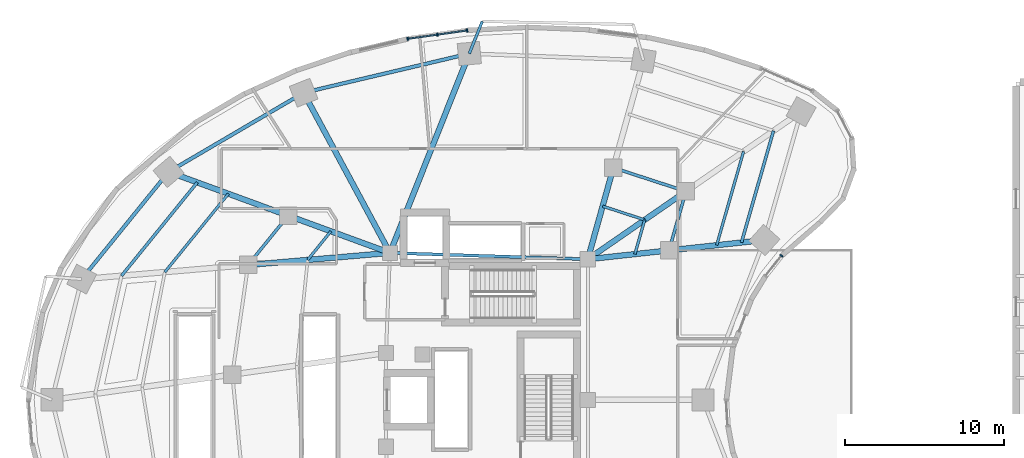
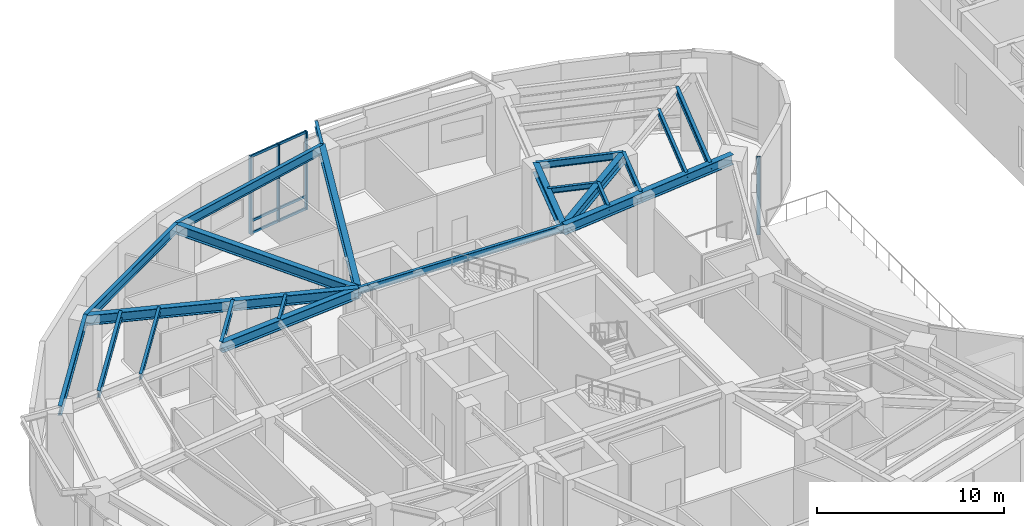
# One storey, part 6 of 19: 24 beams, 10 members, 2 elements without a shape of their own.
"""IFC4 building model written with IfcOpenShell, lengths in metres."""

from ifc_helpers import new_model, si_unit, direction, frame, origin, origin_2d, place, context, subcontext, project, spatial, rectangle, i_section, extrude, material, layer, layer_set, material_profile, profile_set, type_object, element, aggregate, save


model = new_model("IFC4")

# Units and contexts
model_context = context("Model", 3, precision=1e-05, world=origin(), true_north=direction((0.0, 1.0)))
body_context = subcontext(model_context, "Body", "Model", "MODEL_VIEW")
ifc_project = project(units=[si_unit("LENGTHUNIT", "METRE"), si_unit("AREAUNIT", "SQUARE_METRE"), si_unit("VOLUMEUNIT", "CUBIC_METRE"), si_unit("PLANEANGLEUNIT", "RADIAN"), si_unit("MASSUNIT", "GRAM", prefix="KILO")], contexts=[model_context])

# Site, building, storey
site_placement = place(None, origin())
site = spatial("IfcSite", under=ifc_project, at=site_placement, CompositionType="ELEMENT")
building_placement = place(site_placement, origin())
building = spatial("IfcBuilding", under=site, at=building_placement, Name="Korentha Bioscience Tower", CompositionType="ELEMENT")
storey_placement = place(building_placement, frame((0.0, 0.0, 20.39990234375)))
storey = spatial("IfcBuildingStorey", under=building, at=storey_placement, Name="L04", CompositionType="ELEMENT", Elevation=20.39990234375)

# Beams
ifc_material_1 = material(Name="Steel S355", Category="steel")
ifc_material_profile_1 = material_profile(ifc_material_1, i_section(OverallWidth=0.18994140625, OverallDepth=0.45703125, WebThickness=0.009033203125, FlangeThickness=0.014404296875, at=origin_2d()), Name="Steel S355")
ifc_profile_set_1 = profile_set([ifc_material_profile_1], Name="Steel S355 (MB-460)")
beam_type_1 = type_object("IfcBeamType", Name="Mid-Ring Tie Girder W460x74", PredefinedType="BEAM", material=ifc_profile_set_1)
beam_1_placement = place(storey_placement, frame((43.7265625, 40.121337890625, 4.87158203125), z_axis=(-0.950877001105, 0.309568940253, 0.0), x_axis=(-0.309568940253, -0.950877001105, 0.0)))
element("IfcBeam", 1, at=beam_1_placement, inside=storey, type_object=beam_type_1, Name="L04 Mid-Ring Tie Girder 01", PredefinedType="BEAM", context=body_context, shape_type="SweptSolid", body=[
    extrude(i_section(OverallWidth=0.18994140625, OverallDepth=0.45703125, WebThickness=0.009033203125, FlangeThickness=0.014404296875, at=origin_2d()), origin(), (0.0, 0.0, 1.0), 4.80126953125),
])
beam_2_placement = place(storey_placement, frame((18.692138671875, 38.5947265625, 4.87158203125), z_axis=(-0.629790009744, -0.776765436684, 0.0), x_axis=(0.776765436684, -0.629790009744, 0.0)))
element("IfcBeam", 2, at=beam_2_placement, inside=storey, type_object=beam_type_1, Name="L04 Mid-Ring Tie Girder 05", PredefinedType="BEAM", context=body_context, shape_type="SweptSolid", body=[
    extrude(i_section(OverallWidth=0.18994140625, OverallDepth=0.45703125, WebThickness=0.009033203125, FlangeThickness=0.014404296875, at=origin_2d()), origin(), (0.0, 0.0, 1.0), 3.998291015625),
])
beam_3_placement = place(storey_placement, frame((42.66162109375, 36.406982421875, 4.87158203125), z_axis=(0.27560557792, 0.961270807535, 0.0), x_axis=(-0.961270807535, 0.27560557792, 0.0)))
element("IfcBeam", 3, at=beam_3_placement, inside=storey, type_object=beam_type_1, Name="L04 Mid-Ring Tie Girder 16", PredefinedType="BEAM", context=body_context, shape_type="SweptSolid", body=[
    extrude(i_section(OverallWidth=0.18994140625, OverallDepth=0.45703125, WebThickness=0.009033203125, FlangeThickness=0.014404296875, at=origin_2d()), origin(), (0.0, 0.0, 1.0), 3.864013671875),
])
beam_4_placement = place(storey_placement, frame((37.550048828125, 35.85009765625, 4.87158203125), z_axis=(-0.999484526071, 0.032104238723, 0.0), x_axis=(-0.032104238723, -0.999484526071, 0.0)))
element("IfcBeam", 4, at=beam_4_placement, inside=storey, type_object=beam_type_1, Name="L04 Core Ring Tie Girder 01", PredefinedType="BEAM", context=body_context, shape_type="SweptSolid", body=[
    extrude(i_section(OverallWidth=0.18994140625, OverallDepth=0.45703125, WebThickness=0.009033203125, FlangeThickness=0.014404296875, at=origin_2d()), origin(), (0.0, 0.0, 1.0), 12.456298828125),
])

# Curtain wall, members
ifc_material_2 = material(Name="Stone-Clad Aluminium Frame", Category="masonry")
ifc_layer = layer(ifc_material_2, 0.219970703125, Name="Stone-Clad Aluminium Frame")
ifc_layer_set = layer_set([ifc_layer], Name="Stone-Clad Aluminium Frame (CW-P1)")
curtain_wall_type = type_object("IfcCurtainWallType", Name="Podium Double-Height Stone-Mullion Curtain Wall CW-P1", PredefinedType="USERDEFINED", material=ifc_layer_set)
curtain_wall_1_placement = place(storey_placement, origin())
curtain_wall_1 = element("IfcCurtainWall", 5, at=curtain_wall_1_placement, inside=storey, type_object=curtain_wall_type, Name="L04 Curtain Wall 07", ObjectType="UNITISED", PredefinedType="USERDEFINED")
ifc_material_3 = material(Name="Anodised Aluminium 6063-T6", Category="aluminium")
ifc_material_profile_2 = material_profile(ifc_material_3, rectangle(XDim=0.090087890625, YDim=0.199951171875, at=origin_2d()), Name="Anodised Aluminium 6063-T6")
ifc_profile_set_2 = profile_set([ifc_material_profile_2], Name="Anodised Aluminium 6063-T6 (CW-MUL)")
member_type_1 = type_object("IfcMemberType", Name="Mullion RECT 90x200", PredefinedType="MULLION", material=ifc_profile_set_2)
member_1_placement = place(storey_placement, frame((29.95849609375, 50.247802734375, 0.0), z_axis=(0.0, 0.0, 1.0), x_axis=(-0.990167372968, -0.139887717511, 0.0)))
member_1 = element("IfcMember", 6, at=member_1_placement, type_object=member_type_1, Name="CW-L04-07 Mullion 1", PredefinedType="MULLION", context=body_context, shape_type="SweptSolid", body=[
    extrude(rectangle(XDim=0.090087890625, YDim=0.199951171875, at=origin_2d()), origin(), (0.0, 0.0, 1.0), 5.10009765625),
])
member_2_placement = place(storey_placement, frame((28.086669921875, 49.9833984375, 0.0), z_axis=(0.0, 0.0, 1.0), x_axis=(-0.990167372968, -0.139887717511, 0.0)))
member_2 = element("IfcMember", 7, at=member_2_placement, type_object=member_type_1, Name="CW-L04-07 Mullion 2", PredefinedType="MULLION", context=body_context, shape_type="SweptSolid", body=[
    extrude(rectangle(XDim=0.090087890625, YDim=0.199951171875, at=origin_2d()), origin(), (0.0, 0.0, 1.0), 5.10009765625),
])
member_3_placement = place(storey_placement, frame((26.214599609375, 49.718994140625, 0.0), z_axis=(0.0, 0.0, 1.0), x_axis=(-0.990167372968, -0.139887717511, 0.0)))
member_3 = element("IfcMember", 8, at=member_3_placement, type_object=member_type_1, Name="CW-L04-07 Mullion 3", PredefinedType="MULLION", context=body_context, shape_type="SweptSolid", body=[
    extrude(rectangle(XDim=0.090087890625, YDim=0.199951171875, at=origin_2d()), origin(), (0.0, 0.0, 1.0), 5.10009765625),
])

# Curtain wall, member
curtain_wall_2_placement = place(storey_placement, origin())
curtain_wall_2 = element("IfcCurtainWall", 9, at=curtain_wall_2_placement, inside=storey, type_object=curtain_wall_type, Name="L04 Curtain Wall 55", ObjectType="UNITISED", PredefinedType="USERDEFINED")
member_4_placement = place(storey_placement, frame((49.73291015625, 36.072021484375, 0.0), z_axis=(0.0, 0.0, 1.0), x_axis=(0.622520324648, 0.782603632371, 0.0)))
member_4 = element("IfcMember", 10, at=member_4_placement, type_object=member_type_1, Name="CW-L04-55 Mullion 2", PredefinedType="MULLION", context=body_context, shape_type="SweptSolid", body=[
    extrude(rectangle(XDim=0.090087890625, YDim=0.199951171875, at=origin_2d()), origin(), (0.0, 0.0, 1.0), 5.10009765625),
])
aggregate(curtain_wall_2, [member_4])

# Beams
ifc_material_profile_3 = material_profile(ifc_material_1, i_section(OverallWidth=0.22802734375, OverallDepth=0.60791015625, WebThickness=0.01123046875, FlangeThickness=0.017333984375, at=origin_2d()), Name="Steel S355")
ifc_profile_set_3 = profile_set([ifc_material_profile_3], Name="Steel S355 (SB-610)")
beam_type_2 = type_object("IfcBeamType", Name="Perimeter Ring Spandrel Girder W610x113", PredefinedType="SPANDREL", material=ifc_profile_set_3)
beam_5_placement = place(storey_placement, frame((30.09423828125, 48.79248046875, 4.796142578125), z_axis=(-0.973207885376, -0.229926970672, 0.0), x_axis=(0.229926970672, -0.973207885376, 0.0)))
element("IfcBeam", 11, at=beam_5_placement, inside=storey, type_object=beam_type_2, Name="L04 Perimeter Spandrel Girder 03", PredefinedType="SPANDREL", context=body_context, shape_type="SweptSolid", body=[
    extrude(i_section(OverallWidth=0.22802734375, OverallDepth=0.60791015625, WebThickness=0.01123046875, FlangeThickness=0.017333984375, at=origin_2d()), origin(), (0.0, 0.0, 1.0), 10.71484375),
])
beam_6_placement = place(storey_placement, frame((19.66650390625, 46.328857421875, 4.796142578125), z_axis=(-0.862656574181, -0.505790109653, 0.0), x_axis=(0.505790109653, -0.862656574181, 0.0)))
element("IfcBeam", 12, at=beam_6_placement, inside=storey, type_object=beam_type_2, Name="L04 Perimeter Spandrel Girder 04", PredefinedType="SPANDREL", context=body_context, shape_type="SweptSolid", body=[
    extrude(i_section(OverallWidth=0.22802734375, OverallDepth=0.60791015625, WebThickness=0.01123046875, FlangeThickness=0.017333984375, at=origin_2d()), origin(), (0.0, 0.0, 1.0), 9.849365234375),
])
beam_7_placement = place(storey_placement, frame((11.169921875, 41.34716796875, 4.796142578125), z_axis=(-0.629799210231, -0.776757976974, 0.0), x_axis=(0.776757976974, -0.629799210231, 0.0)))
element("IfcBeam", 13, at=beam_7_placement, inside=storey, type_object=beam_type_2, Name="L04 Perimeter Spandrel Girder 05", PredefinedType="SPANDREL", context=body_context, shape_type="SweptSolid", body=[
    extrude(i_section(OverallWidth=0.22802734375, OverallDepth=0.60791015625, WebThickness=0.01123046875, FlangeThickness=0.017333984375, at=origin_2d()), origin(), (0.0, 0.0, 1.0), 8.69189453125),
])
ifc_material_profile_4 = material_profile(ifc_material_1, i_section(OverallWidth=0.18994140625, OverallDepth=0.45703125, WebThickness=0.009033203125, FlangeThickness=0.014404296875, at=origin_2d()), Name="Steel S355")
ifc_profile_set_4 = profile_set([ifc_material_profile_4], Name="Steel S355 (RB-460)")
beam_type_3 = type_object("IfcBeamType", Name="Radial Laboratory Beam W460x74", PredefinedType="BEAM", material=ifc_profile_set_4)
beam_8_placement = place(storey_placement, frame((12.97509765625, 40.6865234375, 4.87158203125), z_axis=(-0.629797748553, -0.776759162107, 0.0), x_axis=(0.776759162107, -0.629797748553, 0.0)))
element("IfcBeam", 14, at=beam_8_placement, inside=storey, type_object=beam_type_3, Name="L04 Secondary Floor Beam JSTO-05", PredefinedType="BEAM", context=body_context, shape_type="SweptSolid", body=[
    extrude(i_section(OverallWidth=0.18994140625, OverallDepth=0.45703125, WebThickness=0.009033203125, FlangeThickness=0.014404296875, at=origin_2d()), origin(), (0.0, 0.0, 1.0), 7.5654296875),
])
beam_9_placement = place(storey_placement, frame((47.2216796875, 36.90380859375, 4.87158203125), z_axis=(0.275682421415, 0.961248772443, 0.0), x_axis=(-0.961248772443, 0.275682421415, 0.0)))
element("IfcBeam", 15, at=beam_9_placement, inside=storey, type_object=beam_type_3, Name="L04 Secondary Floor Beam JSTO-16", PredefinedType="BEAM", context=body_context, shape_type="SweptSolid", body=[
    extrude(i_section(OverallWidth=0.18994140625, OverallDepth=0.45703125, WebThickness=0.009033203125, FlangeThickness=0.014404296875, at=origin_2d()), origin(), (0.0, 0.0, 1.0), 7.3115234375),
])
ifc_material_profile_5 = material_profile(ifc_material_1, i_section(OverallWidth=0.35009765625, OverallDepth=0.64990234375, WebThickness=0.01611328125, FlangeThickness=0.02490234375, at=origin_2d()), Name="Steel S355")
ifc_profile_set_5 = profile_set([ifc_material_profile_5], Name="Steel S355 (RB-650)")
beam_type_4 = type_object("IfcBeamType", Name="Radial Laboratory Girder CVS 650x208", PredefinedType="BEAM", material=ifc_profile_set_5)
beam_10_placement = place(storey_placement, frame((37.550048828125, 35.85009765625, 4.775146484375), z_axis=(0.822491697625, 0.568777115694, 0.0), x_axis=(-0.568777115694, 0.822491697625, 0.0)))
element("IfcBeam", 16, at=beam_10_placement, inside=storey, type_object=beam_type_4, Name="L04 Inner Radial Girder 01", PredefinedType="BEAM", context=body_context, shape_type="SweptSolid", body=[
    extrude(i_section(OverallWidth=0.35009765625, OverallDepth=0.64990234375, WebThickness=0.01611328125, FlangeThickness=0.02490234375, at=origin_2d()), origin(), (0.0, 0.0, 1.0), 7.509521484375),
])
beam_11_placement = place(storey_placement, frame((37.550048828125, 35.85009765625, 4.775146484375), z_axis=(0.269469369205, 0.963008961049, 0.0), x_axis=(-0.963008961049, 0.269469369205, 0.0)))
element("IfcBeam", 17, at=beam_11_placement, inside=storey, type_object=beam_type_4, Name="L04 Inner Radial Girder 02", PredefinedType="BEAM", context=body_context, shape_type="SweptSolid", body=[
    extrude(i_section(OverallWidth=0.35009765625, OverallDepth=0.64990234375, WebThickness=0.01611328125, FlangeThickness=0.02490234375, at=origin_2d()), origin(), (0.0, 0.0, 1.0), 5.978759765625),
])
beam_12_placement = place(storey_placement, frame((25.10009765625, 36.25, 4.775146484375), z_axis=(0.369931007413, 0.929059228335, 0.0), x_axis=(-0.929059228335, 0.369931007413, 0.0)))
element("IfcBeam", 18, at=beam_12_placement, inside=storey, type_object=beam_type_4, Name="L04 Radial Girder 03", PredefinedType="BEAM", context=body_context, shape_type="SweptSolid", body=[
    extrude(i_section(OverallWidth=0.35009765625, OverallDepth=0.64990234375, WebThickness=0.01611328125, FlangeThickness=0.02490234375, at=origin_2d()), origin(), (0.0, 0.0, 1.0), 13.500244140625),
])
beam_13_placement = place(storey_placement, frame((25.10009765625, 36.25, 4.775146484375), z_axis=(-0.47454097106, 0.880233416081, 0.0), x_axis=(-0.880233416081, -0.47454097106, 0.0)))
element("IfcBeam", 19, at=beam_13_placement, inside=storey, type_object=beam_type_4, Name="L04 Radial Girder 04", PredefinedType="BEAM", context=body_context, shape_type="SweptSolid", body=[
    extrude(i_section(OverallWidth=0.35009765625, OverallDepth=0.64990234375, WebThickness=0.01611328125, FlangeThickness=0.02490234375, at=origin_2d()), origin(), (0.0, 0.0, 1.0), 11.4501953125),
])
beam_14_placement = place(storey_placement, frame((25.10009765625, 36.25, 4.775146484375), z_axis=(-0.939106237741, 0.343626940498, 0.0), x_axis=(-0.343626940498, -0.939106237741, 0.0)))
element("IfcBeam", 20, at=beam_14_placement, inside=storey, type_object=beam_type_4, Name="L04 Inner Radial Girder 05", PredefinedType="BEAM", context=body_context, shape_type="SweptSolid", body=[
    extrude(i_section(OverallWidth=0.35009765625, OverallDepth=0.64990234375, WebThickness=0.01611328125, FlangeThickness=0.02490234375, at=origin_2d()), origin(), (0.0, 0.0, 1.0), 6.823486328125),
])
beam_15_placement = place(storey_placement, frame((18.692138671875, 38.5947265625, 4.775146484375), z_axis=(-0.939106299948, 0.343626770491, 0.0), x_axis=(-0.343626770491, -0.939106299948, 0.0)))
element("IfcBeam", 21, at=beam_15_placement, inside=storey, type_object=beam_type_4, Name="L04 Outer Radial Girder 05", PredefinedType="BEAM", context=body_context, shape_type="SweptSolid", body=[
    extrude(i_section(OverallWidth=0.35009765625, OverallDepth=0.64990234375, WebThickness=0.01611328125, FlangeThickness=0.02490234375, at=origin_2d()), origin(), (0.0, 0.0, 1.0), 8.010009765625),
])
beam_16_placement = place(storey_placement, frame((25.10009765625, 36.25, 4.775146484375), z_axis=(-0.996385503026, -0.08494662654, 0.0), x_axis=(0.08494662654, -0.996385503026, 0.0)))
element("IfcBeam", 22, at=beam_16_placement, inside=storey, type_object=beam_type_4, Name="L04 Inner Radial Girder 06", PredefinedType="BEAM", context=body_context, shape_type="SweptSolid", body=[
    extrude(i_section(OverallWidth=0.35009765625, OverallDepth=0.64990234375, WebThickness=0.01611328125, FlangeThickness=0.02490234375, at=origin_2d()), origin(), (0.0, 0.0, 1.0), 8.95849609375),
])
beam_17_placement = place(storey_placement, frame((37.550048828125, 35.85009765625, 4.775146484375), z_axis=(0.994117709144, 0.10830503389, 0.0), x_axis=(-0.10830503389, 0.994117709144, 0.0)))
element("IfcBeam", 23, at=beam_17_placement, inside=storey, type_object=beam_type_4, Name="L04 Inner Radial Girder 16", PredefinedType="BEAM", context=body_context, shape_type="SweptSolid", body=[
    extrude(i_section(OverallWidth=0.35009765625, OverallDepth=0.64990234375, WebThickness=0.01611328125, FlangeThickness=0.02490234375, at=origin_2d()), origin(), (0.0, 0.0, 1.0), 5.141845703125),
])
beam_18_placement = place(storey_placement, frame((42.66162109375, 36.406982421875, 4.775146484375), z_axis=(0.994115805925, 0.108322501862, 0.0), x_axis=(-0.108322501862, 0.994115805925, 0.0)))
element("IfcBeam", 24, at=beam_18_placement, inside=storey, type_object=beam_type_4, Name="L04 Outer Radial Girder 16", PredefinedType="BEAM", context=body_context, shape_type="SweptSolid", body=[
    extrude(i_section(OverallWidth=0.35009765625, OverallDepth=0.64990234375, WebThickness=0.01611328125, FlangeThickness=0.02490234375, at=origin_2d()), origin(), (0.0, 0.0, 1.0), 6.03564453125),
])
ifc_material_profile_6 = material_profile(ifc_material_1, i_section(OverallWidth=0.1708984375, OverallDepth=0.35498046875, WebThickness=0.007080078125, FlangeThickness=0.01171875, at=origin_2d()), Name="Steel S355")
ifc_profile_set_6 = profile_set([ifc_material_profile_6], Name="Steel S355 (JB-360)")
beam_type_5 = type_object("IfcBeamType", Name="Secondary Laboratory Joist W360x51", PredefinedType="JOIST", material=ifc_profile_set_6)
beam_19_placement = place(storey_placement, frame((41.13232421875, 38.327392578125, 4.922607421875), z_axis=(-0.950869630746, 0.309591578254, 0.0), x_axis=(-0.309591578254, -0.950869630746, 0.0)))
element("IfcBeam", 25, at=beam_19_placement, inside=storey, type_object=beam_type_5, Name="L04 Inner Bay Joist 01", PredefinedType="JOIST", context=body_context, shape_type="SweptSolid", body=[
    extrude(i_section(OverallWidth=0.1708984375, OverallDepth=0.35498046875, WebThickness=0.007080078125, FlangeThickness=0.01171875, at=origin_2d()), origin(), (0.0, 0.0, 1.0), 2.784423828125),
])
beam_20_placement = place(storey_placement, frame((14.930908203125, 39.970947265625, 4.922607421875), z_axis=(-0.629786899984, -0.776767958021, 0.0), x_axis=(0.776767958021, -0.629786899984, 0.0)))
element("IfcBeam", 26, at=beam_20_placement, inside=storey, type_object=beam_type_5, Name="L04 Secondary Floor Beam JST-05", PredefinedType="JOIST", context=body_context, shape_type="SweptSolid", body=[
    extrude(i_section(OverallWidth=0.1708984375, OverallDepth=0.35498046875, WebThickness=0.007080078125, FlangeThickness=0.01171875, at=origin_2d()), origin(), (0.0, 0.0, 1.0), 6.34521484375),
])
beam_21_placement = place(storey_placement, frame((21.38330078125, 37.60986328125, 4.922607421875), z_axis=(-0.629791657613, -0.776764100613, 0.0), x_axis=(0.776764100613, -0.629791657613, 0.0)))
element("IfcBeam", 27, at=beam_21_placement, inside=storey, type_object=beam_type_5, Name="L04 Inner Bay Joist 05", PredefinedType="JOIST", context=body_context, shape_type="SweptSolid", body=[
    extrude(i_section(OverallWidth=0.1708984375, OverallDepth=0.35498046875, WebThickness=0.007080078125, FlangeThickness=0.01171875, at=origin_2d()), origin(), (0.0, 0.0, 1.0), 2.31884765625),
])
beam_22_placement = place(storey_placement, frame((45.66162109375, 36.73388671875, 4.922607421875), z_axis=(0.275667500387, 0.96125305161, 0.0), x_axis=(-0.96125305161, 0.275667500387, 0.0)))
element("IfcBeam", 28, at=beam_22_placement, inside=storey, type_object=beam_type_5, Name="L04 Secondary Floor Beam JST-16", PredefinedType="JOIST", context=body_context, shape_type="SweptSolid", body=[
    extrude(i_section(OverallWidth=0.1708984375, OverallDepth=0.35498046875, WebThickness=0.007080078125, FlangeThickness=0.01171875, at=origin_2d()), origin(), (0.0, 0.0, 1.0), 6.132080078125),
])
beam_23_placement = place(storey_placement, frame((40.5146484375, 36.173095703125, 4.922607421875), z_axis=(0.275613067773, 0.961268660091, 0.0), x_axis=(-0.961268660091, 0.275613067773, 0.0)))
element("IfcBeam", 29, at=beam_23_placement, inside=storey, type_object=beam_type_5, Name="L04 Inner Bay Joist 16", PredefinedType="JOIST", context=body_context, shape_type="SweptSolid", body=[
    extrude(i_section(OverallWidth=0.1708984375, OverallDepth=0.35498046875, WebThickness=0.007080078125, FlangeThickness=0.01171875, at=origin_2d()), origin(), (0.0, 0.0, 1.0), 2.2412109375),
])
ifc_material_profile_7 = material_profile(ifc_material_1, i_section(OverallWidth=0.177978515625, OverallDepth=0.406982421875, WebThickness=0.0078125, FlangeThickness=0.0126953125, at=origin_2d()), Name="Steel S355")
ifc_profile_set_7 = profile_set([ifc_material_profile_7], Name="Steel S355 (CB-410)")
beam_type_6 = type_object("IfcBeamType", Name="Sun-Ledge Cantilever Beam W410x60", PredefinedType="BEAM", material=ifc_profile_set_7)
beam_24_placement = place(storey_placement, frame((30.09423828125, 48.79248046875, 4.898681640625), z_axis=(0.372971735808, 0.927842704497, 0.0), x_axis=(-0.927842704497, 0.372971735808, 0.0)))
element("IfcBeam", 30, at=beam_24_placement, inside=storey, type_object=beam_type_6, Name="L04 Balcony Cantilever Bracket B-L05-01", PredefinedType="BEAM", context=body_context, shape_type="SweptSolid", body=[
    extrude(i_section(OverallWidth=0.177978515625, OverallDepth=0.406982421875, WebThickness=0.0078125, FlangeThickness=0.0126953125, at=origin_2d()), origin(), (0.0, 0.0, 1.0), 2.182373046875),
])

# Member
ifc_material_profile_8 = material_profile(ifc_material_3, rectangle(XDim=0.090087890625, YDim=0.159912109375, at=origin_2d()), Name="Anodised Aluminium 6063-T6")
ifc_profile_set_8 = profile_set([ifc_material_profile_8], Name="Anodised Aluminium 6063-T6 (CW-TRN)")
member_type_2 = type_object("IfcMemberType", Name="Transom RECT 90x160", PredefinedType="USERDEFINED", material=ifc_profile_set_8)
member_5_placement = place(storey_placement, frame((29.913818359375, 50.24169921875, 0.045166015625), z_axis=(-0.990159924061, -0.139940432982, 0.0), x_axis=(0.139940432982, -0.990159924061, 0.0)))
member_5 = element("IfcMember", 31, at=member_5_placement, type_object=member_type_2, Name="CW-L04-07 Bay 1 Transom 1", ObjectType="TRANSOM", PredefinedType="USERDEFINED", context=body_context, shape_type="SweptSolid", body=[
    extrude(rectangle(XDim=0.090087890625, YDim=0.159912109375, at=origin_2d()), origin(), (0.0, 0.0, 1.0), 1.800537109375),
])

member_6_placement = place(storey_placement, frame((29.913818359375, 50.24169921875, 0.85009765625), z_axis=(-0.990159924061, -0.139940432982, 0.0), x_axis=(0.139940432982, -0.990159924061, 0.0)))
member_6 = element("IfcMember", 32, at=member_6_placement, type_object=member_type_2, Name="CW-L04-07 Bay 1 Transom 2", ObjectType="TRANSOM", PredefinedType="USERDEFINED", context=body_context, shape_type="SweptSolid", body=[
    extrude(rectangle(XDim=0.090087890625, YDim=0.159912109375, at=origin_2d()), origin(), (0.0, 0.0, 1.0), 1.800537109375),
])

member_7_placement = place(storey_placement, frame((29.913818359375, 50.24169921875, 5.05517578125), z_axis=(-0.990159924061, -0.139940432982, 0.0), x_axis=(0.139940432982, -0.990159924061, 0.0)))
member_7 = element("IfcMember", 33, at=member_7_placement, type_object=member_type_2, Name="CW-L04-07 Bay 1 Transom 3", ObjectType="TRANSOM", PredefinedType="USERDEFINED", context=body_context, shape_type="SweptSolid", body=[
    extrude(rectangle(XDim=0.090087890625, YDim=0.159912109375, at=origin_2d()), origin(), (0.0, 0.0, 1.0), 1.800537109375),
])

member_8_placement = place(storey_placement, frame((28.0419921875, 49.977294921875, 0.045166015625), z_axis=(-0.990159924061, -0.139940432982, 0.0), x_axis=(0.139940432982, -0.990159924061, 0.0)))
member_8 = element("IfcMember", 34, at=member_8_placement, type_object=member_type_2, Name="CW-L04-07 Bay 2 Transom 1", ObjectType="TRANSOM", PredefinedType="USERDEFINED", context=body_context, shape_type="SweptSolid", body=[
    extrude(rectangle(XDim=0.090087890625, YDim=0.159912109375, at=origin_2d()), origin(), (0.0, 0.0, 1.0), 1.800537109375),
])

member_9_placement = place(storey_placement, frame((28.0419921875, 49.977294921875, 0.85009765625), z_axis=(-0.990159924061, -0.139940432982, 0.0), x_axis=(0.139940432982, -0.990159924061, 0.0)))
member_9 = element("IfcMember", 35, at=member_9_placement, type_object=member_type_2, Name="CW-L04-07 Bay 2 Transom 2", ObjectType="TRANSOM", PredefinedType="USERDEFINED", context=body_context, shape_type="SweptSolid", body=[
    extrude(rectangle(XDim=0.090087890625, YDim=0.159912109375, at=origin_2d()), origin(), (0.0, 0.0, 1.0), 1.800537109375),
])

member_10_placement = place(storey_placement, frame((28.0419921875, 49.977294921875, 5.05517578125), z_axis=(-0.990159924061, -0.139940432982, 0.0), x_axis=(0.139940432982, -0.990159924061, 0.0)))
member_10 = element("IfcMember", 36, at=member_10_placement, type_object=member_type_2, Name="CW-L04-07 Bay 2 Transom 3", ObjectType="TRANSOM", PredefinedType="USERDEFINED", context=body_context, shape_type="SweptSolid", body=[
    extrude(rectangle(XDim=0.090087890625, YDim=0.159912109375, at=origin_2d()), origin(), (0.0, 0.0, 1.0), 1.800537109375),
])

aggregate(curtain_wall_1, [member_1, member_2, member_3, member_5, member_6, member_7, member_8, member_9, member_10])

save(model, "model.ifc")
